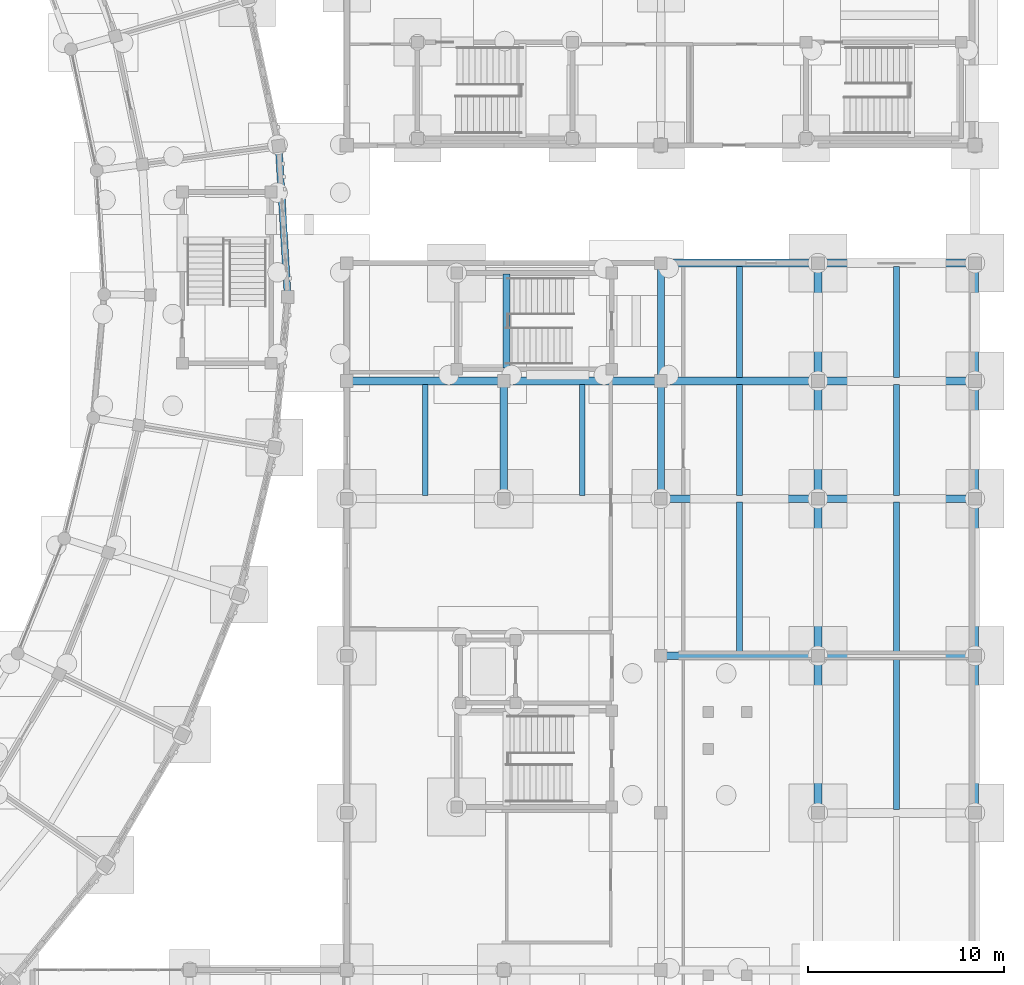
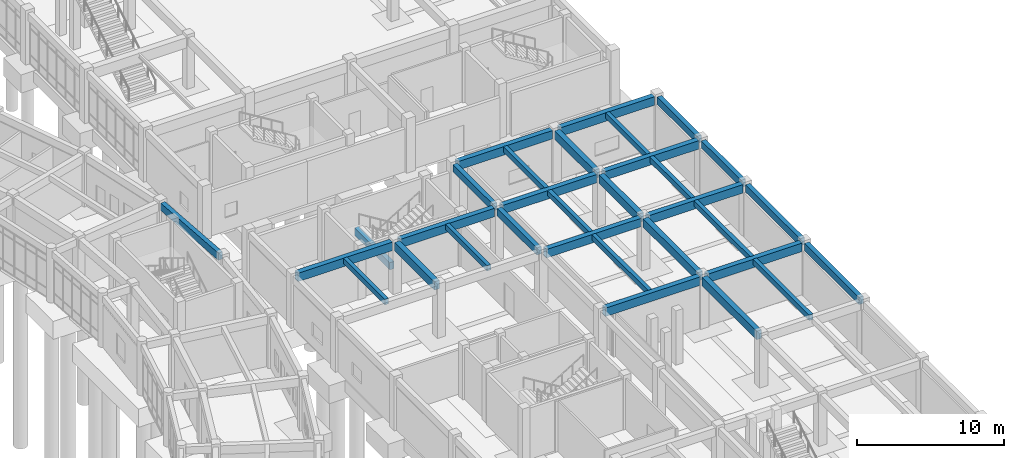
# One storey, part 90 of 153: 32 beams.
"""IFC4 building model written with IfcOpenShell, lengths in metres."""

from ifc_helpers import new_model, si_unit, direction, frame, origin, origin_2d, place, context, subcontext, project, spatial, rectangle, extrude, material, material_profile, profile_set, type_object, element, save


model = new_model("IFC4")

# Units and contexts
model_context = context("Model", 3, precision=1e-05, world=origin(), true_north=direction((0.0, 1.0)))
body_context = subcontext(model_context, "Body", "Model", "MODEL_VIEW")
ifc_project = project(units=[si_unit("LENGTHUNIT", "METRE"), si_unit("AREAUNIT", "SQUARE_METRE"), si_unit("VOLUMEUNIT", "CUBIC_METRE"), si_unit("PLANEANGLEUNIT", "RADIAN"), si_unit("MASSUNIT", "GRAM", prefix="KILO")], contexts=[model_context])

# Site, building, storey
site_placement = place(None, origin())
site = spatial("IfcSite", under=ifc_project, at=site_placement, CompositionType="ELEMENT")
building_placement = place(site_placement, origin())
building = spatial("IfcBuilding", under=site, at=building_placement, Name="Celadon Cloister-Ring School", CompositionType="ELEMENT")
storey_placement = place(building_placement, origin())
storey = spatial("IfcBuildingStorey", under=building, at=storey_placement, Name="L00", CompositionType="ELEMENT", Elevation=0.0)

# Beams
ifc_material_1 = material(Name="Concrete C35/45", Category="concrete")
ifc_material_profile_1 = material_profile(ifc_material_1, rectangle(XDim=0.39990234375, YDim=0.699951171875, at=origin_2d()), Name="RC400X700")
ifc_profile_set_1 = profile_set([ifc_material_profile_1], Name="Concrete C35/45")
beam_type_1 = type_object("IfcBeamType", Name="BT-01", PredefinedType="BEAM", material=ifc_profile_set_1)
beam_1_placement = place(storey_placement, frame((150.0, 48.300048828125, 3.929931640625), z_axis=(0.0, 1.0, 0.0), x_axis=(-1.0, 0.0, 0.0)))
element("IfcBeam", 1, at=beam_1_placement, inside=storey, type_object=beam_type_1, Name="Beam 1232", PredefinedType="BEAM", context=body_context, shape_type="SweptSolid", body=[
    extrude(rectangle(XDim=0.39990234375, YDim=0.699951171875, at=origin_2d()), origin(), (0.0, 0.0, 1.0), 5.39990234375),
])
for number, where, z_axis, x_axis, name in (
    (2, (166.0, 32.300048828125, 3.929931640625), (0.0, 1.0, 0.0), (-1.0, 0.0, 0.0), "Beam 1245"),
    (3, (166.0, 40.300048828125, 3.929931640625), (0.0, 1.0, 0.0), (-1.0, 0.0, 0.0), "Beam 1246"),
):
    element("IfcBeam", number, at=place(storey_placement, frame(where, z_axis=z_axis, x_axis=x_axis)), inside=storey, type_object=beam_type_1, Name=name, PredefinedType="BEAM", context=body_context, shape_type="SweptSolid", body=[
        extrude(rectangle(XDim=0.39990234375, YDim=0.699951171875, at=origin_2d()), origin(), (0.0, 0.0, 1.0), 7.39990234375),
    ])
for number, where, z_axis, x_axis, name in (
    (4, (166.0, 48.300048828125, 3.929931640625), (0.0, 1.0, 0.0), (-1.0, 0.0, 0.0), "Beam 1247"),
    (5, (166.0, 54.300048828125, 3.929931640625), (0.0, 1.0, 0.0), (-1.0, 0.0, 0.0), "Beam 1248"),
):
    element("IfcBeam", number, at=place(storey_placement, frame(where, z_axis=z_axis, x_axis=x_axis)), inside=storey, type_object=beam_type_1, Name=name, PredefinedType="BEAM", context=body_context, shape_type="SweptSolid", body=[
        extrude(rectangle(XDim=0.39990234375, YDim=0.699951171875, at=origin_2d()), origin(), (0.0, 0.0, 1.0), 5.39990234375),
    ])
ifc_material_2 = material(Name="Concrete C35/45", Category="concrete")
ifc_material_profile_2 = material_profile(ifc_material_2, rectangle(XDim=0.35009765625, YDim=0.60009765625, at=origin_2d()), Name="RC350X600")
ifc_profile_set_2 = profile_set([ifc_material_profile_2], Name="Concrete C35/45")
beam_type_2 = type_object("IfcBeamType", Name="BT-02", PredefinedType="BEAM", material=ifc_profile_set_2)
for number, where, z_axis, x_axis, name in (
    (6, (158.0, 48.300048828125, 3.97998046875), (0.0, 1.0, 0.0), (-1.0, 0.0, 0.0), "Beam 1239"),
    (7, (158.0, 54.300048828125, 3.97998046875), (0.0, 1.0, 0.0), (-1.0, 0.0, 0.0), "Beam 1240"),
):
    element("IfcBeam", number, at=place(storey_placement, frame(where, z_axis=z_axis, x_axis=x_axis)), inside=storey, type_object=beam_type_2, Name=name, PredefinedType="BEAM", context=body_context, shape_type="SweptSolid", body=[
        extrude(rectangle(XDim=0.35009765625, YDim=0.60009765625, at=origin_2d()), origin(), (0.0, 0.0, 1.0), 5.39990234375),
    ])
for number, where, z_axis, x_axis, name in (
    (8, (174.0, 32.300048828125, 3.97998046875), (0.0, 1.0, 0.0), (-1.0, 0.0, 0.0), "Beam 1253"),
    (9, (174.0, 40.300048828125, 3.97998046875), (0.0, 1.0, 0.0), (-1.0, 0.0, 0.0), "Beam 1254"),
):
    element("IfcBeam", number, at=place(storey_placement, frame(where, z_axis=z_axis, x_axis=x_axis)), inside=storey, type_object=beam_type_2, Name=name, PredefinedType="BEAM", context=body_context, shape_type="SweptSolid", body=[
        extrude(rectangle(XDim=0.35009765625, YDim=0.60009765625, at=origin_2d()), origin(), (0.0, 0.0, 1.0), 7.39990234375),
    ])
for number, where, z_axis, x_axis, name in (
    (10, (174.0, 48.300048828125, 3.97998046875), (0.0, 1.0, 0.0), (-1.0, 0.0, 0.0), "Beam 1255"),
    (11, (174.0, 54.300048828125, 3.97998046875), (0.0, 1.0, 0.0), (-1.0, 0.0, 0.0), "Beam 1256"),
):
    element("IfcBeam", number, at=place(storey_placement, frame(where, z_axis=z_axis, x_axis=x_axis)), inside=storey, type_object=beam_type_2, Name=name, PredefinedType="BEAM", context=body_context, shape_type="SweptSolid", body=[
        extrude(rectangle(XDim=0.35009765625, YDim=0.60009765625, at=origin_2d()), origin(), (0.0, 0.0, 1.0), 5.39990234375),
    ])
beam_2_placement = place(storey_placement, frame((150.14501953125, 54.64990234375, 1.64990234375), z_axis=(0.0, 1.0, 0.0), x_axis=(-1.0, 0.0, 0.0)))
element("IfcBeam", 12, at=beam_2_placement, inside=storey, type_object=beam_type_2, Name="Stair Landing Beam 1748", PredefinedType="BEAM", context=body_context, shape_type="SweptSolid", body=[
    extrude(rectangle(XDim=0.35009765625, YDim=0.60009765625, at=origin_2d()), origin(), (0.0, 0.0, 1.0), 4.800048828125),
])
ifc_material_3 = material(Name="Concrete C35/45", Category="concrete")
ifc_material_profile_3 = material_profile(ifc_material_3, rectangle(XDim=0.39990234375, YDim=0.699951171875, at=origin_2d()), Name="RC400X700")
ifc_profile_set_3 = profile_set([ifc_material_profile_3], Name="Concrete C35/45")
beam_type_3 = type_object("IfcBeamType", Name="GT-03", PredefinedType="USERDEFINED", material=ifc_profile_set_3)
for number, where, z_axis, x_axis, name in (
    (13, (158.300048828125, 40.0, 3.929931640625), (1.0, 0.0, 0.0), (0.0, 1.0, 0.0), "Beam 1204"),
    (14, (166.300048828125, 40.0, 3.929931640625), (1.0, 0.0, 0.0), (0.0, 1.0, 0.0), "Beam 1205"),
    (15, (158.300048828125, 48.0, 3.929931640625), (1.0, 0.0, 0.0), (0.0, 1.0, 0.0), "Beam 1208"),
    (16, (166.300048828125, 48.0, 3.929931640625), (1.0, 0.0, 0.0), (0.0, 1.0, 0.0), "Beam 1209"),
    (17, (142.300048828125, 54.0, 3.929931640625), (1.0, 0.0, 0.0), (0.0, 1.0, 0.0), "Beam 1210"),
    (18, (150.300048828125, 54.0, 3.929931640625), (1.0, 0.0, 0.0), (0.0, 1.0, 0.0), "Beam 1211"),
    (19, (158.300048828125, 54.0, 3.929931640625), (1.0, 0.0, 0.0), (0.0, 1.0, 0.0), "Beam 1212"),
    (20, (166.300048828125, 54.0, 3.929931640625), (1.0, 0.0, 0.0), (0.0, 1.0, 0.0), "Beam 1213"),
    (21, (158.300048828125, 60.0, 3.929931640625), (1.0, 0.0, 0.0), (0.0, 1.0, 0.0), "Beam 1214"),
    (22, (166.300048828125, 60.0, 3.929931640625), (1.0, 0.0, 0.0), (0.0, 1.0, 0.0), "Beam 1215"),
):
    element("IfcBeam", number, at=place(storey_placement, frame(where, z_axis=z_axis, x_axis=x_axis)), inside=storey, type_object=beam_type_3, Name=name, ObjectType="GIRDER", PredefinedType="USERDEFINED", context=body_context, shape_type="SweptSolid", body=[
        extrude(rectangle(XDim=0.39990234375, YDim=0.699951171875, at=origin_2d()), origin(), (0.0, 0.0, 1.0), 7.39990234375),
    ])
ifc_material_4 = material(Name="Concrete C35/45", Category="concrete")
ifc_material_profile_4 = material_profile(ifc_material_4, rectangle(XDim=0.300048828125, YDim=0.449951171875, at=origin_2d()), Name="RC300X450")
ifc_profile_set_4 = profile_set([ifc_material_profile_4], Name="Concrete C35/45")
beam_type_4 = type_object("IfcBeamType", Name="JT-01", PredefinedType="JOIST", material=ifc_profile_set_4)
for number, where, z_axis, x_axis, name in (
    (23, (146.0, 48.175048828125, 4.054931640625), (0.0, 1.0, 0.0), (-1.0, 0.0, 0.0), "Beam 1265"),
    (24, (154.0, 48.175048828125, 4.054931640625), (0.0, 1.0, 0.0), (-1.0, 0.0, 0.0), "Beam 1269"),
):
    element("IfcBeam", number, at=place(storey_placement, frame(where, z_axis=z_axis, x_axis=x_axis)), inside=storey, type_object=beam_type_4, Name=name, PredefinedType="JOIST", context=body_context, shape_type="SweptSolid", body=[
        extrude(rectangle(XDim=0.300048828125, YDim=0.449951171875, at=origin_2d()), origin(), (0.0, 0.0, 1.0), 5.64990234375),
    ])
beam_3_placement = place(storey_placement, frame((162.0, 40.175048828125, 4.054931640625), z_axis=(0.0, 1.0, 0.0), x_axis=(-1.0, 0.0, 0.0)))
element("IfcBeam", 25, at=beam_3_placement, inside=storey, type_object=beam_type_4, Name="Beam 1271", PredefinedType="JOIST", context=body_context, shape_type="SweptSolid", body=[
    extrude(rectangle(XDim=0.300048828125, YDim=0.449951171875, at=origin_2d()), origin(), (0.0, 0.0, 1.0), 7.64990234375),
])
for number, where, z_axis, x_axis, name in (
    (26, (162.0, 48.175048828125, 4.054931640625), (0.0, 1.0, 0.0), (-1.0, 0.0, 0.0), "Beam 1272"),
    (27, (162.0, 54.175048828125, 4.054931640625), (0.0, 1.0, 0.0), (-1.0, 0.0, 0.0), "Beam 1273"),
):
    element("IfcBeam", number, at=place(storey_placement, frame(where, z_axis=z_axis, x_axis=x_axis)), inside=storey, type_object=beam_type_4, Name=name, PredefinedType="JOIST", context=body_context, shape_type="SweptSolid", body=[
        extrude(rectangle(XDim=0.300048828125, YDim=0.449951171875, at=origin_2d()), origin(), (0.0, 0.0, 1.0), 5.64990234375),
    ])
for number, where, z_axis, x_axis, name in (
    (28, (170.0, 32.175048828125, 4.054931640625), (0.0, 1.0, 0.0), (-1.0, 0.0, 0.0), "Beam 1278"),
    (29, (170.0, 40.175048828125, 4.054931640625), (0.0, 1.0, 0.0), (-1.0, 0.0, 0.0), "Beam 1279"),
):
    element("IfcBeam", number, at=place(storey_placement, frame(where, z_axis=z_axis, x_axis=x_axis)), inside=storey, type_object=beam_type_4, Name=name, PredefinedType="JOIST", context=body_context, shape_type="SweptSolid", body=[
        extrude(rectangle(XDim=0.300048828125, YDim=0.449951171875, at=origin_2d()), origin(), (0.0, 0.0, 1.0), 7.64990234375),
    ])
for number, where, z_axis, x_axis, name in (
    (30, (170.0, 48.175048828125, 4.054931640625), (0.0, 1.0, 0.0), (-1.0, 0.0, 0.0), "Beam 1280"),
    (31, (170.0, 54.175048828125, 4.054931640625), (0.0, 1.0, 0.0), (-1.0, 0.0, 0.0), "Beam 1281"),
):
    element("IfcBeam", number, at=place(storey_placement, frame(where, z_axis=z_axis, x_axis=x_axis)), inside=storey, type_object=beam_type_4, Name=name, PredefinedType="JOIST", context=body_context, shape_type="SweptSolid", body=[
        extrude(rectangle(XDim=0.300048828125, YDim=0.449951171875, at=origin_2d()), origin(), (0.0, 0.0, 1.0), 5.64990234375),
    ])
ifc_material_5 = material(Name="Concrete C35/45", Category="concrete")
ifc_material_profile_5 = material_profile(ifc_material_5, rectangle(XDim=0.35009765625, YDim=0.60009765625, at=origin_2d()), Name="RC350X600")
ifc_profile_set_5 = profile_set([ifc_material_profile_5], Name="Concrete C35/45")
beam_type_5 = type_object("IfcBeamType", Name="SP-01", PredefinedType="SPANDREL", material=ifc_profile_set_5)
beam_4_placement = place(storey_placement, frame((138.97705078125, 58.580078125, 3.97998046875), z_axis=(-0.060236729714, 0.998184119486, 0.0), x_axis=(-0.998184119486, -0.060236729714, 0.0)))
element("IfcBeam", 32, at=beam_4_placement, inside=storey, type_object=beam_type_5, Name="Beam 0172", PredefinedType="SPANDREL", context=body_context, shape_type="SweptSolid", body=[
    extrude(rectangle(XDim=0.35009765625, YDim=0.60009765625, at=origin_2d()), origin(), (0.0, 0.0, 1.0), 7.10498046875),
])

save(model, "model.ifc")
